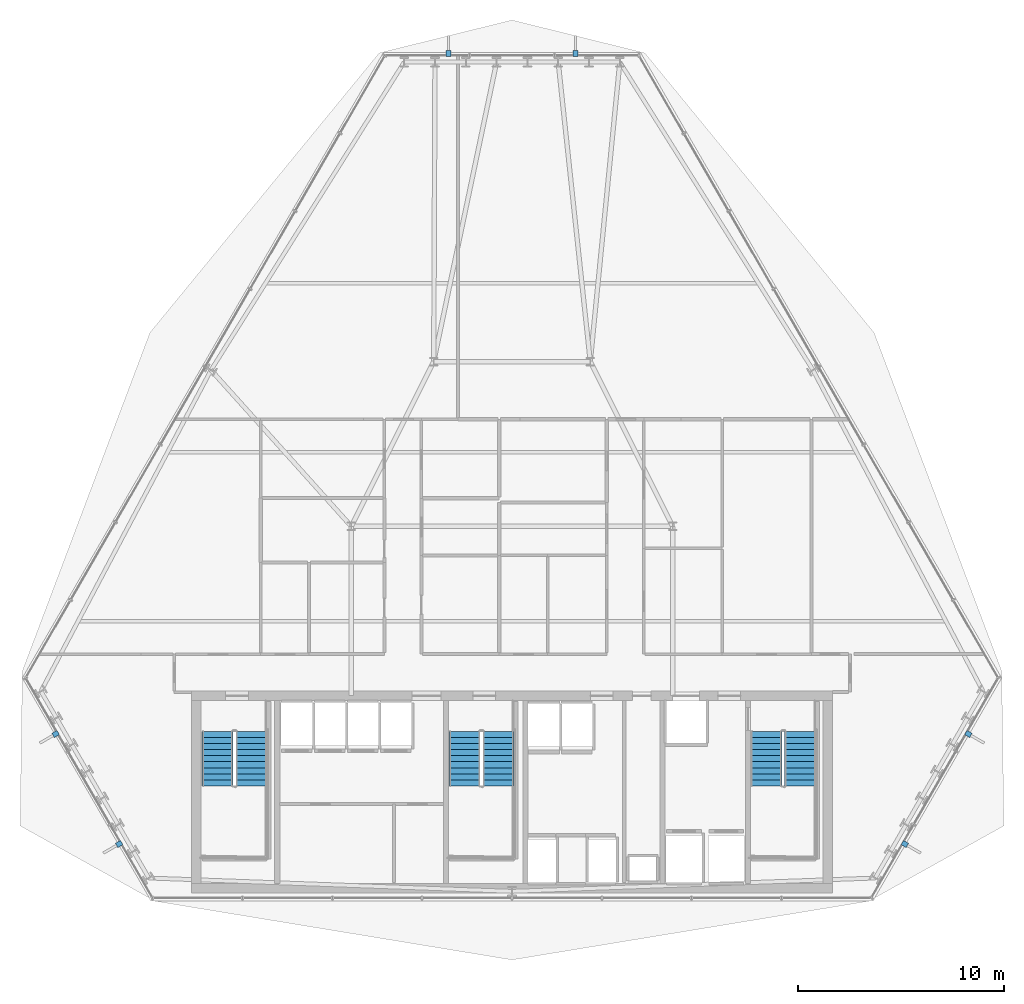
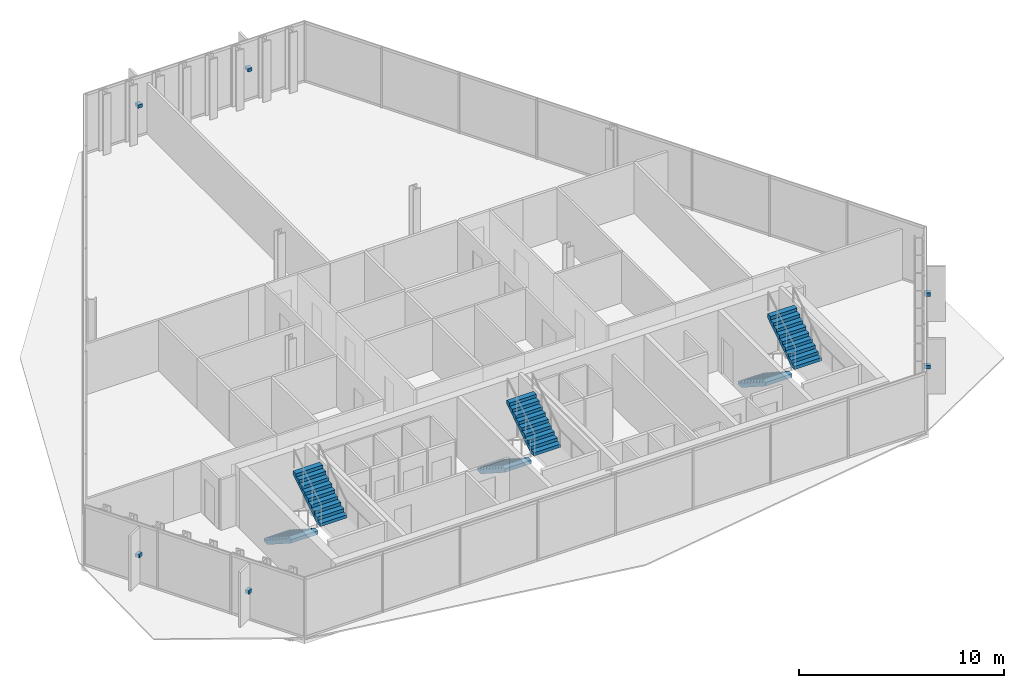
# One storey, part 30 of 36: 6 discrete accessories, 6 stair flights, 3 elements without a shape of their own.
"""IFC4 building model written with IfcOpenShell, lengths in metres."""

from ifc_helpers import new_model, si_unit, direction, frame, origin, origin_2d, place, context, subcontext, project, spatial, polyline, rectangle, outline, extrude, material, type_object, element, aggregate, save


model = new_model("IFC4")

# Units and contexts
model_context = context("Model", 3, precision=1e-05, world=origin(), true_north=direction((0.0, 1.0)))
body_context = subcontext(model_context, "Body", "Model", "MODEL_VIEW")
ifc_project = project(units=[si_unit("LENGTHUNIT", "METRE"), si_unit("AREAUNIT", "SQUARE_METRE"), si_unit("VOLUMEUNIT", "CUBIC_METRE"), si_unit("PLANEANGLEUNIT", "RADIAN"), si_unit("MASSUNIT", "GRAM", prefix="KILO")], contexts=[model_context])

# Site, building, storey
site_placement = place(None, origin())
site = spatial("IfcSite", under=ifc_project, at=site_placement, CompositionType="ELEMENT")
building_placement = place(site_placement, origin())
building = spatial("IfcBuilding", under=site, at=building_placement, Name="Ndaravel Arena Tower", CompositionType="ELEMENT")
storey_placement = place(building_placement, frame((0.0, 0.0, 127.0)))
storey = spatial("IfcBuildingStorey", under=building, at=storey_placement, Name="L29", CompositionType="ELEMENT", Elevation=127.0)

# Stair, stair flights
ifc_material_1 = material(Name="Concrete C40/50", Category="concrete")
stair_type = type_object("IfcStairType", Name="STAIR-CORE-HT", PredefinedType="HALF_TURN_STAIR", material=ifc_material_1)
stair_1_placement = place(storey_placement, origin())
stair_1 = element("IfcStair", 1, at=stair_1_placement, inside=storey, type_object=stair_type, Name="L29 ST-1", PredefinedType="HALF_TURN_STAIR")
ifc_material_2 = material(Name="Concrete C40/50", Category="concrete")
stair_flight_type = type_object("IfcStairFlightType", Name="SFLIGHT-CORE-1680", PredefinedType="STRAIGHT", material=ifc_material_2)
stair_flight_1_placement = place(storey_placement, frame((27.699951171875, 13.25, 0.0), z_axis=(0.0, 0.0, 1.0), x_axis=(0.0, -1.0, 0.0)))
stair_flight_1 = element("IfcStairFlight", 2, at=stair_flight_1_placement, type_object=stair_flight_type, Name="ST-1 flight 1", NumberOfRisers=10, NumberOfTreads=9, PredefinedType="STRAIGHT", RiserHeight=0.19, TreadLength=0.295, context=body_context, shape_type="SweptSolid", body=[
    extrude(outline(polyline([(0.0, 0.0), (0.0, 0.18994140625), (0.294921875, 0.18994140625), (0.294921875, 0.3798828125), (0.590087890625, 0.3798828125), (0.590087890625, 0.570068359375), (0.885009765625, 0.570068359375), (0.885009765625, 0.760009765625), (1.179931640625, 0.760009765625), (1.179931640625, 0.949951171875), (1.47509765625, 0.949951171875), (1.47509765625, 1.139892578125), (1.77001953125, 1.139892578125), (1.77001953125, 1.330078125), (2.06494140625, 1.330078125), (2.06494140625, 1.52001953125), (2.360107421875, 1.52001953125), (2.360107421875, 1.7099609375), (2.655029296875, 1.7099609375), (2.655029296875, 1.89990234375), (2.655029296875, 1.49609375), (0.332275390625, 0.0), (0.0, 0.0)])), frame((0.0, 0.75, 0.0), z_axis=(0.0, -1.0, 0.0), x_axis=(1.0, 0.0, 0.0)), (0.0, 0.0, 1.0), 1.5),
])
stair_flight_2_placement = place(storey_placement, frame((29.340087890625, 10.594970703125, 1.89990234375), z_axis=(0.0, 0.0, 1.0), x_axis=(0.0, 1.0, 0.0)))
stair_flight_2 = element("IfcStairFlight", 3, at=stair_flight_2_placement, type_object=stair_flight_type, Name="ST-1 flight 2", NumberOfRisers=10, NumberOfTreads=9, PredefinedType="STRAIGHT", RiserHeight=0.19, TreadLength=0.295, context=body_context, shape_type="SweptSolid", body=[
    extrude(outline(polyline([(0.0, 0.0), (0.0, 0.18994140625), (0.294921875, 0.18994140625), (0.294921875, 0.3798828125), (0.590087890625, 0.3798828125), (0.590087890625, 0.570068359375), (0.885009765625, 0.570068359375), (0.885009765625, 0.760009765625), (1.179931640625, 0.760009765625), (1.179931640625, 0.949951171875), (1.47509765625, 0.949951171875), (1.47509765625, 1.139892578125), (1.77001953125, 1.139892578125), (1.77001953125, 1.330078125), (2.06494140625, 1.330078125), (2.06494140625, 1.52001953125), (2.360107421875, 1.52001953125), (2.360107421875, 1.7099609375), (2.655029296875, 1.7099609375), (2.655029296875, 1.89990234375), (2.655029296875, 1.49609375), (0.332275390625, 0.0), (0.0, 0.0)])), frame((0.0, 0.75, 0.0), z_axis=(0.0, -1.0, 0.0), x_axis=(1.0, 0.0, 0.0)), (0.0, 0.0, 1.0), 1.5),
])
aggregate(stair_1, [stair_flight_1, stair_flight_2])

stair_2_placement = place(storey_placement, origin())
stair_2 = element("IfcStair", 4, at=stair_2_placement, inside=storey, type_object=stair_type, Name="L29 ST-2", PredefinedType="HALF_TURN_STAIR")
stair_flight_3_placement = place(storey_placement, frame((39.699951171875, 13.25, 0.0), z_axis=(0.0, 0.0, 1.0), x_axis=(0.0, -1.0, 0.0)))
stair_flight_3 = element("IfcStairFlight", 5, at=stair_flight_3_placement, type_object=stair_flight_type, Name="ST-2 flight 1", NumberOfRisers=10, NumberOfTreads=9, PredefinedType="STRAIGHT", RiserHeight=0.19, TreadLength=0.295, context=body_context, shape_type="SweptSolid", body=[
    extrude(outline(polyline([(0.0, 0.0), (0.0, 0.18994140625), (0.294921875, 0.18994140625), (0.294921875, 0.3798828125), (0.590087890625, 0.3798828125), (0.590087890625, 0.570068359375), (0.885009765625, 0.570068359375), (0.885009765625, 0.760009765625), (1.179931640625, 0.760009765625), (1.179931640625, 0.949951171875), (1.47509765625, 0.949951171875), (1.47509765625, 1.139892578125), (1.77001953125, 1.139892578125), (1.77001953125, 1.330078125), (2.06494140625, 1.330078125), (2.06494140625, 1.52001953125), (2.360107421875, 1.52001953125), (2.360107421875, 1.7099609375), (2.655029296875, 1.7099609375), (2.655029296875, 1.89990234375), (2.655029296875, 1.49609375), (0.332275390625, 0.0), (0.0, 0.0)])), frame((0.0, 0.75, 0.0), z_axis=(0.0, -1.0, 0.0), x_axis=(1.0, 0.0, 0.0)), (0.0, 0.0, 1.0), 1.5),
])
stair_flight_4_placement = place(storey_placement, frame((41.340087890625, 10.594970703125, 1.89990234375), z_axis=(0.0, 0.0, 1.0), x_axis=(0.0, 1.0, 0.0)))
stair_flight_4 = element("IfcStairFlight", 6, at=stair_flight_4_placement, type_object=stair_flight_type, Name="ST-2 flight 2", NumberOfRisers=10, NumberOfTreads=9, PredefinedType="STRAIGHT", RiserHeight=0.19, TreadLength=0.295, context=body_context, shape_type="SweptSolid", body=[
    extrude(outline(polyline([(0.0, 0.0), (0.0, 0.18994140625), (0.294921875, 0.18994140625), (0.294921875, 0.3798828125), (0.590087890625, 0.3798828125), (0.590087890625, 0.570068359375), (0.885009765625, 0.570068359375), (0.885009765625, 0.760009765625), (1.179931640625, 0.760009765625), (1.179931640625, 0.949951171875), (1.47509765625, 0.949951171875), (1.47509765625, 1.139892578125), (1.77001953125, 1.139892578125), (1.77001953125, 1.330078125), (2.06494140625, 1.330078125), (2.06494140625, 1.52001953125), (2.360107421875, 1.52001953125), (2.360107421875, 1.7099609375), (2.655029296875, 1.7099609375), (2.655029296875, 1.89990234375), (2.655029296875, 1.49609375), (0.332275390625, 0.0), (0.0, 0.0)])), frame((0.0, 0.75, 0.0), z_axis=(0.0, -1.0, 0.0), x_axis=(1.0, 0.0, 0.0)), (0.0, 0.0, 1.0), 1.5),
])
aggregate(stair_2, [stair_flight_3, stair_flight_4])

stair_3_placement = place(storey_placement, origin())
stair_3 = element("IfcStair", 7, at=stair_3_placement, inside=storey, type_object=stair_type, Name="L29 ST-3", PredefinedType="HALF_TURN_STAIR")
stair_flight_5_placement = place(storey_placement, frame((54.35009765625, 13.25, 0.0), z_axis=(0.0, 0.0, 1.0), x_axis=(0.0, -1.0, 0.0)))
stair_flight_5 = element("IfcStairFlight", 8, at=stair_flight_5_placement, type_object=stair_flight_type, Name="ST-3 flight 1", NumberOfRisers=10, NumberOfTreads=9, PredefinedType="STRAIGHT", RiserHeight=0.19, TreadLength=0.295, context=body_context, shape_type="SweptSolid", body=[
    extrude(outline(polyline([(0.0, 0.0), (0.0, 0.18994140625), (0.294921875, 0.18994140625), (0.294921875, 0.3798828125), (0.590087890625, 0.3798828125), (0.590087890625, 0.570068359375), (0.885009765625, 0.570068359375), (0.885009765625, 0.760009765625), (1.179931640625, 0.760009765625), (1.179931640625, 0.949951171875), (1.47509765625, 0.949951171875), (1.47509765625, 1.139892578125), (1.77001953125, 1.139892578125), (1.77001953125, 1.330078125), (2.06494140625, 1.330078125), (2.06494140625, 1.52001953125), (2.360107421875, 1.52001953125), (2.360107421875, 1.7099609375), (2.655029296875, 1.7099609375), (2.655029296875, 1.89990234375), (2.655029296875, 1.49609375), (0.332275390625, 0.0), (0.0, 0.0)])), frame((0.0, 0.75, 0.0), z_axis=(0.0, -1.0, 0.0), x_axis=(1.0, 0.0, 0.0)), (0.0, 0.0, 1.0), 1.5),
])
stair_flight_6_placement = place(storey_placement, frame((55.989990234375, 10.594970703125, 1.89990234375), z_axis=(0.0, 0.0, 1.0), x_axis=(0.0, 1.0, 0.0)))
stair_flight_6 = element("IfcStairFlight", 9, at=stair_flight_6_placement, type_object=stair_flight_type, Name="ST-3 flight 2", NumberOfRisers=10, NumberOfTreads=9, PredefinedType="STRAIGHT", RiserHeight=0.19, TreadLength=0.295, context=body_context, shape_type="SweptSolid", body=[
    extrude(outline(polyline([(0.0, 0.0), (0.0, 0.18994140625), (0.294921875, 0.18994140625), (0.294921875, 0.3798828125), (0.590087890625, 0.3798828125), (0.590087890625, 0.570068359375), (0.885009765625, 0.570068359375), (0.885009765625, 0.760009765625), (1.179931640625, 0.760009765625), (1.179931640625, 0.949951171875), (1.47509765625, 0.949951171875), (1.47509765625, 1.139892578125), (1.77001953125, 1.139892578125), (1.77001953125, 1.330078125), (2.06494140625, 1.330078125), (2.06494140625, 1.52001953125), (2.360107421875, 1.52001953125), (2.360107421875, 1.7099609375), (2.655029296875, 1.7099609375), (2.655029296875, 1.89990234375), (2.655029296875, 1.49609375), (0.332275390625, 0.0), (0.0, 0.0)])), frame((0.0, 0.75, 0.0), z_axis=(0.0, -1.0, 0.0), x_axis=(1.0, 0.0, 0.0)), (0.0, 0.0, 1.0), 1.5),
])
aggregate(stair_3, [stair_flight_5, stair_flight_6])

# Discrete accessories
ifc_material_3 = material(Name="Steel S355", Category="steel")
discrete_accessory_type = type_object("IfcDiscreteAccessoryType", Name="ACC-BRACKET-FIN", PredefinedType="BRACKET", material=ifc_material_3)
for number, where, z_axis, x_axis, name in (
    (10, (61.072998046875, 7.7802734375, 1.68994140625), (0.0, 0.0, 1.0), (0.866025403784, -0.5, 0.0), "L29 Mazeras Stone Solar Fin E2.1 Bracket"),
    (11, (64.15625, 13.120849609375, 1.68994140625), (0.0, 0.0, 1.0), (0.866025403784, -0.5, 0.0), "L29 Mazeras Stone Solar Fin E2.2 Bracket"),
    (12, (45.083251953125, 46.156005859375, 1.68994140625), (0.0, 0.0, 1.0), (0.0, 1.0, 0.0), "L29 Mazeras Stone Solar Fin E4.1 Bracket"),
    (13, (38.916748046875, 46.156005859375, 1.68994140625), (0.0, 0.0, 1.0), (0.0, 1.0, 0.0), "L29 Mazeras Stone Solar Fin E4.2 Bracket"),
    (14, (19.84375, 13.120849609375, 1.68994140625), (0.0, 0.0, 1.0), (-0.866025403784, -0.5, 0.0), "L29 Mazeras Stone Solar Fin E6.1 Bracket"),
    (15, (22.927001953125, 7.7802734375, 1.68994140625), (0.0, 0.0, 1.0), (-0.866025403784, -0.5, 0.0), "L29 Mazeras Stone Solar Fin E6.2 Bracket"),
):
    element("IfcDiscreteAccessory", number, at=place(storey_placement, frame(where, z_axis=z_axis, x_axis=x_axis)), inside=storey, type_object=discrete_accessory_type, Name=name, PredefinedType="BRACKET", context=body_context, shape_type="SweptSolid", body=[
        extrude(rectangle(XDim=0.280029296875, YDim=0.239990234375, at=origin_2d()), origin(), (0.0, 0.0, 1.0), 0.199951171875),
    ])

save(model, "model.ifc")
